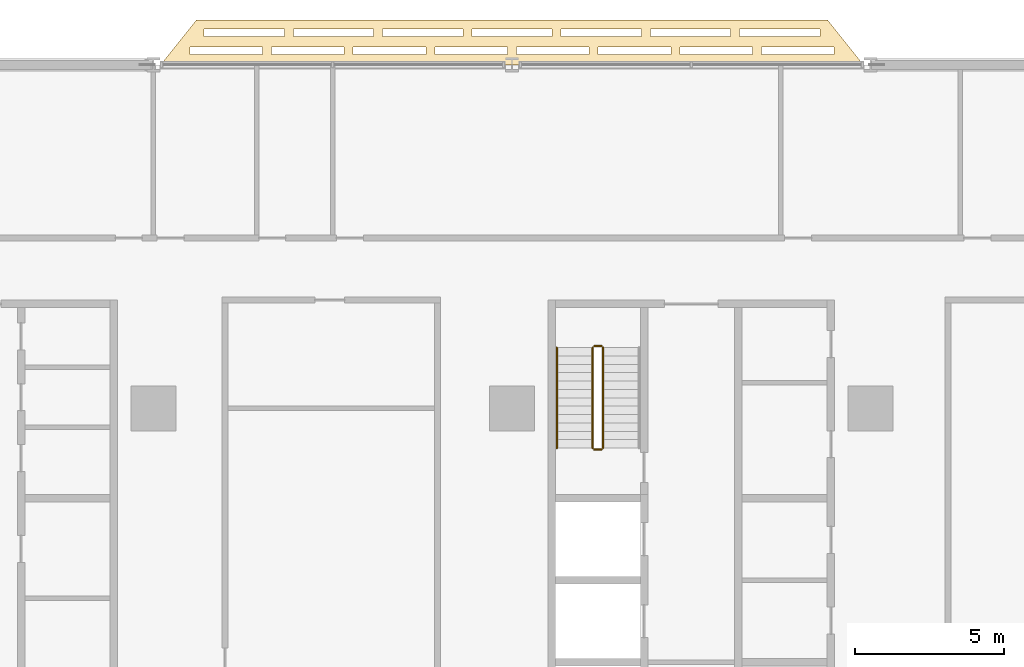
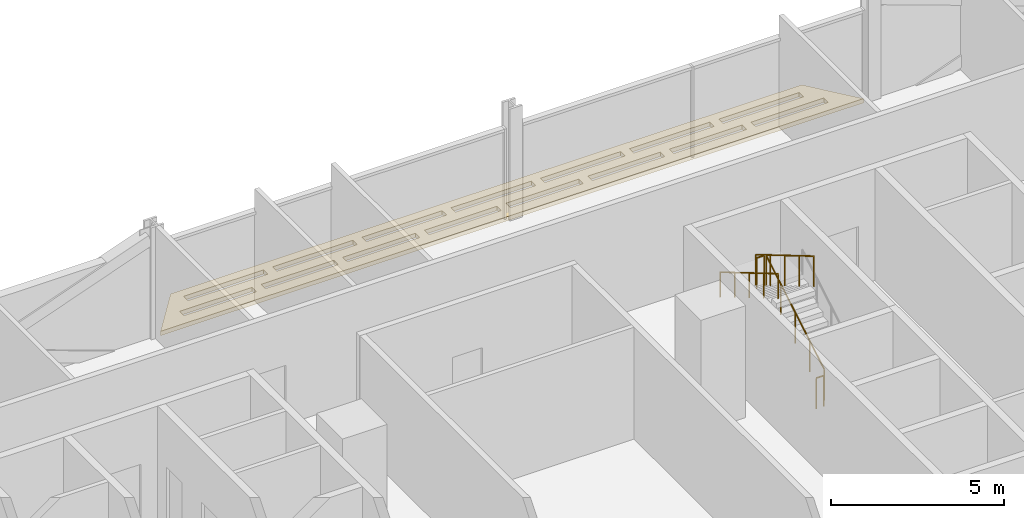
# One storey, part 27 of 29: 5 railings, 1 covering.
"""IFC4 building model written with IfcOpenShell, lengths in metres."""

from ifc_helpers import new_model, si_unit, direction, frame, origin, origin_2d, place, context, subcontext, project, spatial, polyline, circle, outline, extrude, material, layer, layer_set, type_object, element, save


model = new_model("IFC4")

# Units and contexts
model_context = context("Model", 3, precision=1e-05, world=origin(), true_north=direction((0.0, 1.0)))
body_context = subcontext(model_context, "Body", "Model", "MODEL_VIEW")
ifc_project = project(units=[si_unit("LENGTHUNIT", "METRE"), si_unit("AREAUNIT", "SQUARE_METRE"), si_unit("VOLUMEUNIT", "CUBIC_METRE"), si_unit("PLANEANGLEUNIT", "RADIAN"), si_unit("MASSUNIT", "GRAM", prefix="KILO")], contexts=[model_context])

# Site, building, storey
site_placement = place(None, origin())
site = spatial("IfcSite", under=ifc_project, at=site_placement, CompositionType="ELEMENT")
building_placement = place(site_placement, origin())
building = spatial("IfcBuilding", under=site, at=building_placement, Name="Mahtab Terrace Research Tower", CompositionType="ELEMENT")
storey_placement = place(building_placement, frame((0.0, 0.0, 71.800048828125)))
storey = spatial("IfcBuildingStorey", under=building, at=storey_placement, Name="L16", CompositionType="ELEMENT", Elevation=71.800048828125)

# Covering
ifc_material_1 = material(Name="Black anodised aluminium", Category="aluminium")
ifc_layer = layer(ifc_material_1, 0.14990234375)
ifc_layer_set = layer_set([ifc_layer], Name="Horizontal sunshade band")
covering_type = type_object("IfcCoveringType", Name="Horizontal sunshade band", PredefinedType="CLADDING", material=ifc_layer_set)
covering_placement = place(storey_placement, frame((0.0, 0.0, -0.150146484375)))
element("IfcCovering", 1, at=covering_placement, inside=storey, type_object=covering_type, Name="Sunshade band L16 5", PredefinedType="CLADDING", context=body_context, shape_type="SweptSolid", body=[
    extrude(outline(polyline([(29.761962890625, 23.0), (6.238037109375, 23.0), (7.43798828125, 24.5), (28.56201171875, 24.5), (29.761962890625, 23.0)]), holes=[polyline([(28.781982421875, 23.35009765625), (26.34912109375, 23.35009765625), (26.34912109375, 23.60009765625), (28.781982421875, 23.60009765625), (28.781982421875, 23.35009765625)]), polyline([(26.049072265625, 23.35009765625), (23.615966796875, 23.35009765625), (23.615966796875, 23.60009765625), (26.049072265625, 23.60009765625), (26.049072265625, 23.35009765625)]), polyline([(23.31591796875, 23.35009765625), (20.883056640625, 23.35009765625), (20.883056640625, 23.60009765625), (23.31591796875, 23.60009765625), (23.31591796875, 23.35009765625)]), polyline([(20.5830078125, 23.35009765625), (18.14990234375, 23.35009765625), (18.14990234375, 23.60009765625), (20.5830078125, 23.60009765625), (20.5830078125, 23.35009765625)]), polyline([(17.85009765625, 23.35009765625), (15.4169921875, 23.35009765625), (15.4169921875, 23.60009765625), (17.85009765625, 23.60009765625), (17.85009765625, 23.35009765625)]), polyline([(15.116943359375, 23.35009765625), (12.68408203125, 23.35009765625), (12.68408203125, 23.60009765625), (15.116943359375, 23.60009765625), (15.116943359375, 23.35009765625)]), polyline([(12.384033203125, 23.35009765625), (9.950927734375, 23.35009765625), (9.950927734375, 23.60009765625), (12.384033203125, 23.60009765625), (12.384033203125, 23.35009765625)]), polyline([(9.65087890625, 23.35009765625), (7.218017578125, 23.35009765625), (7.218017578125, 23.60009765625), (9.65087890625, 23.60009765625), (9.65087890625, 23.35009765625)]), polyline([(28.302001953125, 23.949951171875), (25.615966796875, 23.949951171875), (25.615966796875, 24.199951171875), (28.302001953125, 24.199951171875), (28.302001953125, 23.949951171875)]), polyline([(25.31591796875, 23.949951171875), (22.62890625, 23.949951171875), (22.62890625, 24.199951171875), (25.31591796875, 24.199951171875), (25.31591796875, 23.949951171875)]), polyline([(22.3291015625, 23.949951171875), (19.64306640625, 23.949951171875), (19.64306640625, 24.199951171875), (22.3291015625, 24.199951171875), (22.3291015625, 23.949951171875)]), polyline([(19.343017578125, 23.949951171875), (16.656982421875, 23.949951171875), (16.656982421875, 24.199951171875), (19.343017578125, 24.199951171875), (19.343017578125, 23.949951171875)]), polyline([(16.35693359375, 23.949951171875), (13.6708984375, 23.949951171875), (13.6708984375, 24.199951171875), (16.35693359375, 24.199951171875), (16.35693359375, 23.949951171875)]), polyline([(13.37109375, 23.949951171875), (10.68408203125, 23.949951171875), (10.68408203125, 24.199951171875), (13.37109375, 24.199951171875), (13.37109375, 23.949951171875)]), polyline([(10.384033203125, 23.949951171875), (7.697998046875, 23.949951171875), (7.697998046875, 24.199951171875), (10.384033203125, 24.199951171875), (10.384033203125, 23.949951171875)])]), origin(), (0.0, 0.0, 1.0), 0.150146484375),
])

# Railings
ifc_material_2 = material(Name="Stainless steel AISI 304", Category="steel")
railing_type_1 = type_object("IfcRailingType", Name="Stair guard 1100", PredefinedType="GUARDRAIL", material=ifc_material_2)
railing_1_placement = place(storey_placement, frame((21.050048828125, 10.175048828125, 0.165283203125)))
element("IfcRailing", 2, at=railing_1_placement, inside=storey, type_object=railing_type_1, Name="L16 ST3 stair guard 1", PredefinedType="GUARDRAIL", context=body_context, shape_type="SweptSolid", body=[
    extrude(circle(Radius=0.02392578125, at=origin_2d()), frame((0.0, 0.0, 1.076171875), z_axis=(0.0, 0.861011212953, 0.508585972249), x_axis=(-1.0, 0.0, 0.0)), (0.0, 0.0, 1.0), 3.90234375),
    extrude(circle(Radius=0.02099609375, at=origin_2d()), origin(), (0.0, 0.0, 1.0), 1.052001953125),
    extrude(circle(Radius=0.02099609375, at=origin_2d()), frame((0.0, 0.83984375, 0.49609375)), (0.0, 0.0, 1.0), 1.052001953125),
    extrude(circle(Radius=0.02099609375, at=origin_2d()), frame((0.0, 1.679931640625, 0.9921875)), (0.0, 0.0, 1.0), 1.052001953125),
    extrude(circle(Radius=0.02099609375, at=origin_2d()), frame((0.0, 2.52001953125, 1.488525390625)), (0.0, 0.0, 1.0), 1.052001953125),
    extrude(circle(Radius=0.02099609375, at=origin_2d()), frame((0.0, 3.35986328125, 1.984619140625)), (0.0, 0.0, 1.0), 1.052001953125),
])
railing_2_placement = place(storey_placement, frame((21.0, 13.5849609375, 2.14990234375)))
element("IfcRailing", 3, at=railing_2_placement, inside=storey, type_object=railing_type_1, Name="L16 ST3 stair guard 2", PredefinedType="GUARDRAIL", context=body_context, shape_type="SweptSolid", body=[
    extrude(circle(Radius=0.02392578125, at=origin_2d()), frame((0.0, 0.0, 1.076171875), z_axis=(-1.0, 0.0, 0.0), x_axis=(0.0, -1.0, 0.0)), (0.0, 0.0, 1.0), 0.25),
    extrude(circle(Radius=0.02099609375, at=origin_2d()), origin(), (0.0, 0.0, 1.0), 1.052001953125),
    extrude(circle(Radius=0.02099609375, at=origin_2d()), frame((-0.25, 0.0, 0.0)), (0.0, 0.0, 1.0), 1.052001953125),
])
railing_3_placement = place(storey_placement, frame((20.699951171875, 13.534912109375, 2.3154296875)))
element("IfcRailing", 4, at=railing_3_placement, inside=storey, type_object=railing_type_1, Name="L16 ST3 stair guard 3", PredefinedType="GUARDRAIL", context=body_context, shape_type="SweptSolid", body=[
    extrude(circle(Radius=0.02392578125, at=origin_2d()), frame((0.0, 0.0, 1.076171875), z_axis=(0.0, -0.861011212953, 0.508585972249), x_axis=(1.0, 0.0, 0.0)), (0.0, 0.0, 1.0), 3.90234375),
    extrude(circle(Radius=0.02099609375, at=origin_2d()), origin(), (0.0, 0.0, 1.0), 1.052001953125),
    extrude(circle(Radius=0.02099609375, at=origin_2d()), frame((0.0, -0.83984375, 0.49609375)), (0.0, 0.0, 1.0), 1.052001953125),
    extrude(circle(Radius=0.02099609375, at=origin_2d()), frame((0.0, -1.679931640625, 0.9921875)), (0.0, 0.0, 1.0), 1.052001953125),
    extrude(circle(Radius=0.02099609375, at=origin_2d()), frame((0.0, -2.52001953125, 1.488525390625)), (0.0, 0.0, 1.0), 1.052001953125),
    extrude(circle(Radius=0.02099609375, at=origin_2d()), frame((0.0, -3.35986328125, 1.984619140625)), (0.0, 0.0, 1.0), 1.052001953125),
])
railing_4_placement = place(storey_placement, frame((21.0, 10.125, 0.0)))
element("IfcRailing", 5, at=railing_4_placement, inside=storey, type_object=railing_type_1, Name="L16 ST3 stair guard 4", PredefinedType="GUARDRAIL", context=body_context, shape_type="SweptSolid", body=[
    extrude(circle(Radius=0.02392578125, at=origin_2d()), frame((0.0, 0.0, 1.076171875), z_axis=(-1.0, 0.0, 0.0), x_axis=(0.0, -1.0, 0.0)), (0.0, 0.0, 1.0), 0.25),
    extrude(circle(Radius=0.02099609375, at=origin_2d()), origin(), (0.0, 0.0, 1.0), 1.052001953125),
    extrude(circle(Radius=0.02099609375, at=origin_2d()), frame((-0.25, 0.0, 0.0)), (0.0, 0.0, 1.0), 1.052001953125),
])
railing_type_2 = type_object("IfcRailingType", Name="Stair handrail 900", PredefinedType="HANDRAIL", material=ifc_material_2)
railing_5_placement = place(storey_placement, frame((19.5, 13.534912109375, 2.3154296875)))
element("IfcRailing", 6, at=railing_5_placement, inside=storey, type_object=railing_type_2, Name="L16 ST3 stair handrail 2", PredefinedType="HANDRAIL", context=body_context, shape_type="SweptSolid", body=[
    extrude(circle(Radius=0.02392578125, at=origin_2d()), frame((0.0, 0.0, 0.8759765625), z_axis=(0.0, -0.861011212953, 0.508585972249), x_axis=(1.0, 0.0, 0.0)), (0.0, 0.0, 1.0), 3.90234375),
    extrude(circle(Radius=0.02099609375, at=origin_2d()), origin(), (0.0, 0.0, 1.0), 0.851806640625),
    extrude(circle(Radius=0.02099609375, at=origin_2d()), frame((0.0, -0.83984375, 0.49609375)), (0.0, 0.0, 1.0), 0.851806640625),
    extrude(circle(Radius=0.02099609375, at=origin_2d()), frame((0.0, -1.679931640625, 0.9921875)), (0.0, 0.0, 1.0), 0.851806640625),
    extrude(circle(Radius=0.02099609375, at=origin_2d()), frame((0.0, -2.52001953125, 1.488525390625)), (0.0, 0.0, 1.0), 0.851806640625),
    extrude(circle(Radius=0.02099609375, at=origin_2d()), frame((0.0, -3.35986328125, 1.984619140625)), (0.0, 0.0, 1.0), 0.851806640625),
])

save(model, "model.ifc")
